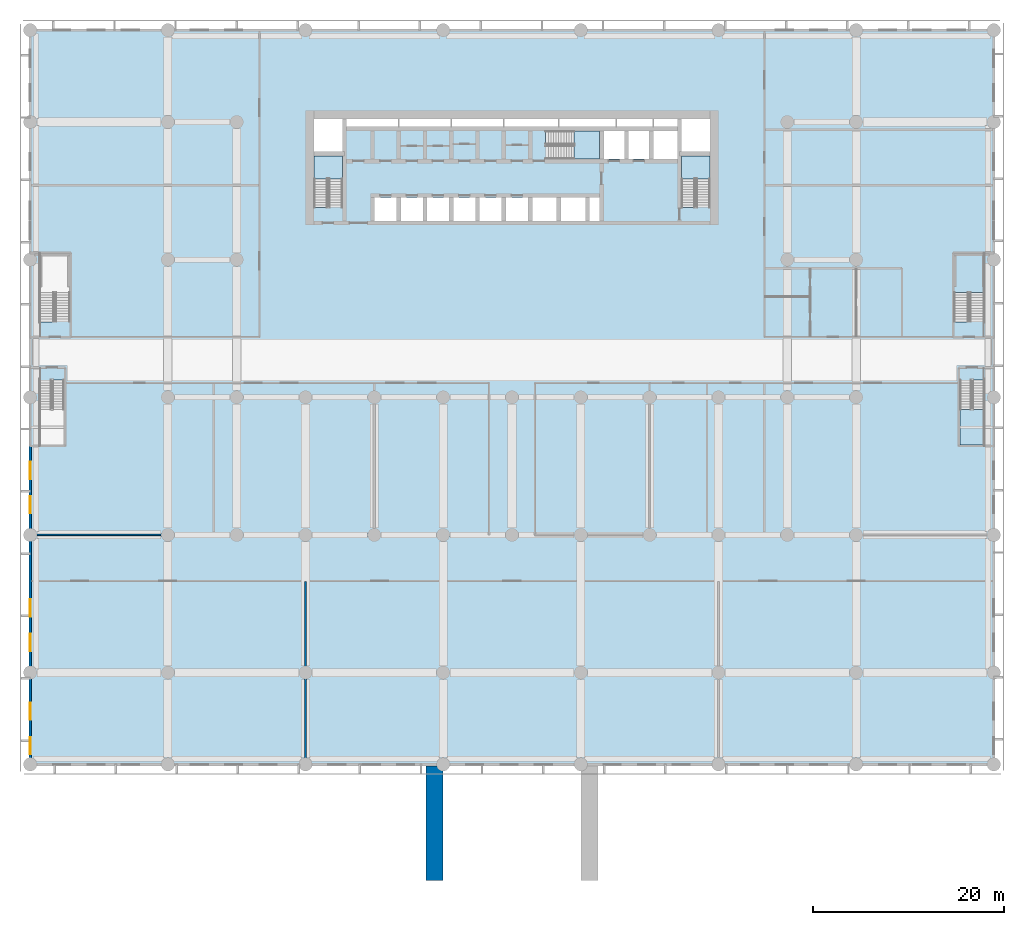
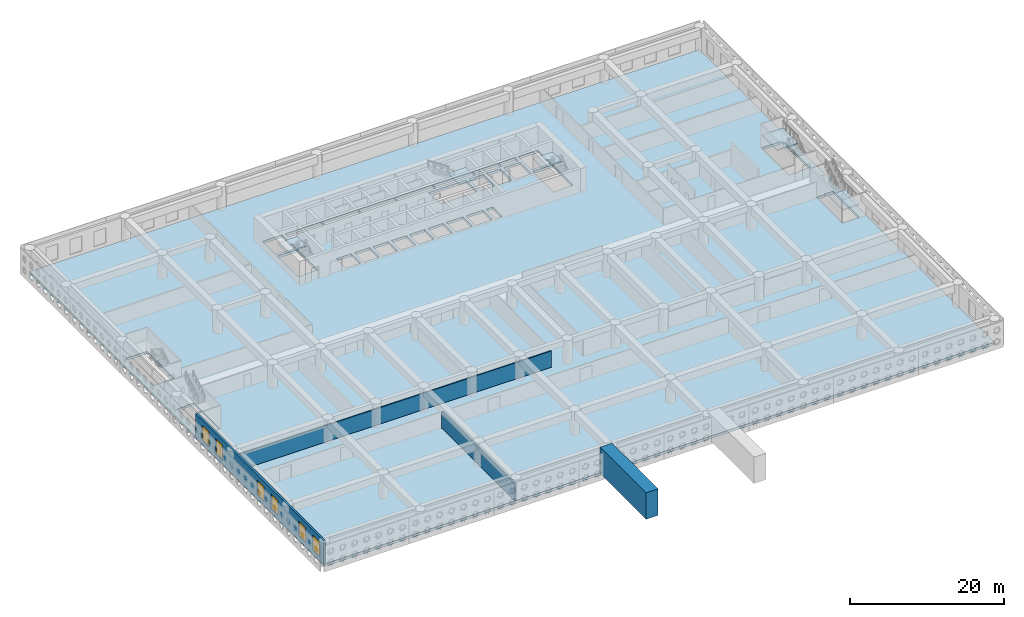
# One storey, part 2 of 23: 6 slabs, 6 windows, 4 walls, 6 openings, 5 elements without a shape of their own.
"""IFC4 building model written with IfcOpenShell, lengths in metres."""

from ifc_helpers import new_model, si_unit, direction, frame, frame_2d, origin, place, context, subcontext, project, spatial, polyline, rectangle, outline, extrude, material, layer, layer_set, type_object, element, fill, aggregate, save


model = new_model("IFC4")

# Units and contexts
model_context = context("Model", 3, precision=1e-05, world=origin(), true_north=direction((0.0, 1.0)))
body_context = subcontext(model_context, "Body", "Model", "MODEL_VIEW")
ifc_project = project(units=[si_unit("LENGTHUNIT", "METRE"), si_unit("AREAUNIT", "SQUARE_METRE"), si_unit("VOLUMEUNIT", "CUBIC_METRE"), si_unit("PLANEANGLEUNIT", "RADIAN"), si_unit("MASSUNIT", "GRAM", prefix="KILO")], contexts=[model_context])

# Site, building, storey
site_placement = place(None, origin())
site = spatial("IfcSite", under=ifc_project, at=site_placement, CompositionType="ELEMENT")
building_placement = place(site_placement, origin())
building = spatial("IfcBuilding", under=site, at=building_placement, Name="Saffron Iwan Residences", CompositionType="ELEMENT")
storey_placement = place(building_placement, frame((0.0, 0.0, 17.39990234375)))
storey = spatial("IfcBuildingStorey", under=building, at=storey_placement, Name="L03", CompositionType="ELEMENT", Elevation=17.39990234375)

# Slab
ifc_material_1 = material(Name="Concrete C40/50", Category="concrete")
ifc_layer_1 = layer(ifc_material_1, 0.39990234375)
ifc_layer_set_1 = layer_set([ifc_layer_1], Name="Concrete C40/50")
slab_type_1 = type_object("IfcSlabType", Name="PT PLATE 400 C40/50", PredefinedType="FLOOR", material=ifc_layer_set_1)
slab_1_placement = place(storey_placement, frame((0.0, 0.0, -0.39990234375)))
element("IfcSlab", 1, at=slab_1_placement, inside=storey, type_object=slab_type_1, Name="Floor slab L03", PredefinedType="FLOOR", context=body_context, shape_type="SweptSolid", body=[
    extrude(outline(polyline([(0.0, 9.60009765625), (0.0, 86.39990234375), (100.800048828125, 86.39990234375), (100.800048828125, 9.60009765625), (0.0, 9.60009765625)]), holes=[polyline([(2.199951171875, 49.699951171875), (1.0, 49.699951171875), (1.0, 43.0), (3.550048828125, 43.0), (3.550048828125, 49.799560546875), (2.199951171875, 49.799560546875), (2.199951171875, 49.699951171875)]), polyline([(2.64990234375, 55.900390625), (2.64990234375, 56.0), (4.14990234375, 56.0), (4.14990234375, 63.0), (1.0, 63.0), (1.0, 55.900390625), (2.64990234375, 55.900390625)]), polyline([(38.324951171875, 66.449951171875), (38.324951171875, 68.875), (36.02490234375, 68.875), (36.02490234375, 66.449951171875), (38.324951171875, 66.449951171875)]), polyline([(41.074951171875, 66.449951171875), (41.074951171875, 68.875), (38.77490234375, 68.875), (38.77490234375, 66.449951171875), (41.074951171875, 66.449951171875)]), polyline([(43.824951171875, 66.449951171875), (43.824951171875, 68.875), (41.52490234375, 68.875), (41.52490234375, 66.449951171875), (43.824951171875, 66.449951171875)]), polyline([(46.574951171875, 66.449951171875), (46.574951171875, 68.875), (44.27490234375, 68.875), (44.27490234375, 66.449951171875), (46.574951171875, 66.449951171875)]), polyline([(49.324951171875, 66.449951171875), (49.324951171875, 68.875), (47.02490234375, 68.875), (47.02490234375, 66.449951171875), (49.324951171875, 66.449951171875)]), polyline([(52.074951171875, 68.875), (49.77490234375, 68.875), (49.77490234375, 66.449951171875), (52.074951171875, 66.449951171875), (52.074951171875, 68.875)]), polyline([(32.64990234375, 73.25), (29.699951171875, 73.25), (29.699951171875, 67.949951171875), (29.699951171875, 67.8505859375), (31.10009765625, 67.8505859375), (31.10009765625, 67.949951171875), (32.64990234375, 67.949951171875), (32.64990234375, 73.25)]), polyline([(32.64990234375, 73.699951171875), (32.64990234375, 77.10009765625), (29.699951171875, 77.10009765625), (29.699951171875, 73.699951171875), (32.64990234375, 73.699951171875)]), polyline([(38.5, 76.324951171875), (38.5, 77.10009765625), (33.10009765625, 77.10009765625), (33.10009765625, 76.324951171875), (38.5, 76.324951171875)]), polyline([(44.0, 76.324951171875), (44.0, 77.10009765625), (38.60009765625, 77.10009765625), (38.60009765625, 76.324951171875), (44.0, 76.324951171875)]), polyline([(49.5, 76.324951171875), (49.5, 77.10009765625), (44.10009765625, 77.10009765625), (44.10009765625, 76.324951171875), (49.5, 76.324951171875)]), polyline([(55.25, 76.324951171875), (55.25, 77.10009765625), (49.60009765625, 77.10009765625), (49.60009765625, 76.324951171875), (55.25, 76.324951171875)]), polyline([(98.449951171875, 49.699951171875), (97.25, 49.699951171875), (97.25, 43.0), (99.800048828125, 43.0), (99.800048828125, 49.799560546875), (98.449951171875, 49.799560546875), (98.449951171875, 49.699951171875)]), polyline([(98.300048828125, 55.900390625), (98.300048828125, 56.0), (99.800048828125, 56.0), (99.800048828125, 63.0), (96.64990234375, 63.0), (96.64990234375, 55.900390625), (98.300048828125, 55.900390625)]), polyline([(55.074951171875, 66.449951171875), (55.074951171875, 68.875), (52.52490234375, 68.875), (52.52490234375, 66.449951171875), (55.074951171875, 66.449951171875)]), polyline([(58.074951171875, 66.449951171875), (58.074951171875, 68.875), (55.52490234375, 68.875), (55.52490234375, 66.449951171875), (58.074951171875, 66.449951171875)]), polyline([(59.550048828125, 66.449951171875), (59.550048828125, 68.875), (58.52490234375, 68.875), (58.52490234375, 66.449951171875), (59.550048828125, 66.449951171875)]), polyline([(71.10009765625, 73.25), (68.14990234375, 73.25), (68.14990234375, 67.949951171875), (68.14990234375, 67.8505859375), (69.550048828125, 67.8505859375), (69.550048828125, 67.949951171875), (71.10009765625, 67.949951171875), (71.10009765625, 73.25)]), polyline([(53.925537109375, 74.47509765625), (54.02490234375, 74.47509765625), (54.02490234375, 72.925048828125), (59.550048828125, 72.925048828125), (59.550048828125, 75.875), (54.02490234375, 75.875), (53.925537109375, 75.875), (53.925537109375, 74.47509765625)]), polyline([(62.14990234375, 75.875), (60.0, 75.875), (60.0, 72.925048828125), (62.14990234375, 72.925048828125), (62.14990234375, 75.875)]), polyline([(64.75, 72.925048828125), (64.75, 75.875), (62.60009765625, 75.875), (62.60009765625, 72.925048828125), (64.75, 72.925048828125)]), polyline([(67.699951171875, 72.925048828125), (67.699951171875, 75.875), (65.199951171875, 75.875), (65.199951171875, 72.925048828125), (67.699951171875, 72.925048828125)]), polyline([(71.10009765625, 73.699951171875), (71.10009765625, 77.10009765625), (68.14990234375, 77.10009765625), (68.14990234375, 73.699951171875), (71.10009765625, 73.699951171875)]), polyline([(61.25, 76.324951171875), (61.25, 77.10009765625), (55.35009765625, 77.10009765625), (55.35009765625, 76.324951171875), (61.25, 76.324951171875)]), polyline([(65.14990234375, 76.324951171875), (65.14990234375, 77.10009765625), (61.35009765625, 77.10009765625), (61.35009765625, 76.324951171875), (65.14990234375, 76.324951171875)]), polyline([(67.699951171875, 76.324951171875), (67.699951171875, 77.10009765625), (65.25, 77.10009765625), (65.25, 76.324951171875), (67.699951171875, 76.324951171875)])]), origin(), (0.0, 0.0, 1.0), 0.39990234375),
])

# Stair, slab
stair_type_1 = type_object("IfcStairType", Name="Podium stair, reinforced concrete", PredefinedType="HALF_TURN_STAIR", material=ifc_material_1)
stair_1_placement = place(storey_placement, origin())
stair_1 = element("IfcStair", 2, at=stair_1_placement, inside=storey, type_object=stair_type_1, Name="L03 Podium Stair 2", PredefinedType="HALF_TURN_STAIR")
ifc_layer_2 = layer(ifc_material_1, 0.199951171875)
ifc_layer_set_2 = layer_set([ifc_layer_2], Name="Concrete C40/50")
slab_type_2 = type_object("IfcSlabType", Name="Podium stair landing, reinforced concrete", PredefinedType="LANDING", material=ifc_layer_set_2)
slab_2_placement = place(storey_placement, frame((0.0, 0.0, 1.89990234375)))
slab_2 = element("IfcSlab", 3, at=slab_2_placement, type_object=slab_type_2, Name="PS2 landing 1", PredefinedType="LANDING", context=body_context, shape_type="SweptSolid", body=[
    extrude(outline(polyline([(97.25, 46.719970703125), (97.25, 43.0), (99.800048828125, 43.0), (99.800048828125, 46.719970703125), (97.25, 46.719970703125)])), origin(), (0.0, 0.0, 1.0), 0.2001953125),
])
aggregate(stair_1, [slab_2])

stair_2_placement = place(storey_placement, origin())
stair_2 = element("IfcStair", 4, at=stair_2_placement, inside=storey, type_object=stair_type_1, Name="L03 Podium Stair 4", PredefinedType="HALF_TURN_STAIR")
slab_3_placement = place(storey_placement, frame((0.0, 0.0, 1.89990234375)))
slab_3 = element("IfcSlab", 5, at=slab_3_placement, type_object=slab_type_2, Name="PS4 landing 1", PredefinedType="LANDING", context=body_context, shape_type="SweptSolid", body=[
    extrude(outline(polyline([(99.800048828125, 58.97998046875), (99.800048828125, 63.0), (96.64990234375, 63.0), (96.64990234375, 58.97998046875), (99.800048828125, 58.97998046875)])), origin(), (0.0, 0.0, 1.0), 0.2001953125),
])
aggregate(stair_2, [slab_3])

ifc_material_2 = material(Name="Concrete C50/60", Category="concrete")
stair_type_2 = type_object("IfcStairType", Name="Stair ST-CORE", PredefinedType="HALF_TURN_STAIR", material=ifc_material_2)
stair_3_placement = place(storey_placement, origin())
stair_3 = element("IfcStair", 6, at=stair_3_placement, inside=storey, type_object=stair_type_2, Name="L03 Exit Stair ST-W", PredefinedType="HALF_TURN_STAIR")
ifc_layer_3 = layer(ifc_material_2, 0.199951171875)
ifc_layer_set_3 = layer_set([ifc_layer_3], Name="Concrete C50/60")
slab_type_3 = type_object("IfcSlabType", Name="Stair landing SL-RC", PredefinedType="LANDING", material=ifc_layer_set_3)
slab_4_placement = place(storey_placement, frame((0.0, 0.0, 1.89990234375)))
slab_4 = element("IfcSlab", 7, at=slab_4_placement, type_object=slab_type_3, Name="ST-W landing 1", PredefinedType="LANDING", context=body_context, shape_type="SweptSolid", body=[
    extrude(outline(polyline([(32.64990234375, 70.820068359375), (32.64990234375, 73.25), (29.699951171875, 73.25), (29.699951171875, 70.820068359375), (32.64990234375, 70.820068359375)])), origin(), (0.0, 0.0, 1.0), 0.2001953125),
])
aggregate(stair_3, [slab_4])

stair_4_placement = place(storey_placement, origin())
stair_4 = element("IfcStair", 8, at=stair_4_placement, inside=storey, type_object=stair_type_2, Name="L03 Exit Stair ST-C", PredefinedType="HALF_TURN_STAIR")
slab_5_placement = place(storey_placement, frame((0.0, 0.0, 1.89990234375)))
slab_5 = element("IfcSlab", 9, at=slab_5_placement, type_object=slab_type_3, Name="ST-C landing 1", PredefinedType="LANDING", context=body_context, shape_type="SweptSolid", body=[
    extrude(outline(polyline([(56.89501953125, 72.925048828125), (59.550048828125, 72.925048828125), (59.550048828125, 75.875), (56.89501953125, 75.875), (56.89501953125, 72.925048828125)])), origin(), (0.0, 0.0, 1.0), 0.2001953125),
])
aggregate(stair_4, [slab_5])

stair_5_placement = place(storey_placement, origin())
stair_5 = element("IfcStair", 10, at=stair_5_placement, inside=storey, type_object=stair_type_2, Name="L03 Exit Stair ST-E", PredefinedType="HALF_TURN_STAIR")
slab_6_placement = place(storey_placement, frame((0.0, 0.0, 1.89990234375)))
slab_6 = element("IfcSlab", 11, at=slab_6_placement, type_object=slab_type_3, Name="ST-E landing 1", PredefinedType="LANDING", context=body_context, shape_type="SweptSolid", body=[
    extrude(outline(polyline([(71.10009765625, 70.820068359375), (71.10009765625, 73.25), (68.14990234375, 73.25), (68.14990234375, 70.820068359375), (71.10009765625, 70.820068359375)])), origin(), (0.0, 0.0, 1.0), 0.2001953125),
])
aggregate(stair_5, [slab_6])

# Walls
ifc_material_3 = material(Name="Concrete blockwork", Category="masonry")
ifc_layer_4 = layer(ifc_material_3, 0.14990234375)
ifc_layer_set_4 = layer_set([ifc_layer_4], Name="Concrete blockwork")
wall_type_1 = type_object("IfcWallType", Name="Blockwork partition 150", PredefinedType="PARTITIONING", material=ifc_layer_set_4)
wall_1_placement = place(storey_placement, frame((0.14990234375, 33.60009765625, 0.0), z_axis=(0.0, 0.0, 1.0), x_axis=(1.0, 0.0, 0.0)))
element("IfcWall", 12, at=wall_1_placement, inside=storey, type_object=wall_type_1, Name="W-L03-003", PredefinedType="PARTITIONING", context=body_context, shape_type="SweptSolid", body=[
    extrude(rectangle(XDim=47.85009765625, YDim=0.14990234375, at=frame_2d((23.925048828125, 0.0))), origin(), (0.0, 0.0, 1.0), 2.60009765625),
])
ifc_layer_5 = layer(ifc_material_1, 0.25)
ifc_layer_set_5 = layer_set([ifc_layer_5], Name="Concrete C40/50")
wall_type_2 = type_object("IfcWallType", Name="Fire compartment wall 250", PredefinedType="SOLIDWALL", material=ifc_layer_set_5)
wall_2_placement = place(storey_placement, frame((28.800048828125, 9.75, 0.0), z_axis=(0.0, 0.0, 1.0), x_axis=(0.0, 1.0, 0.0)))
element("IfcWall", 13, at=wall_2_placement, inside=storey, type_object=wall_type_2, Name="W-L03-034", PredefinedType="SOLIDWALL", context=body_context, shape_type="SweptSolid", body=[
    extrude(rectangle(XDim=18.97509765625, YDim=0.25, at=frame_2d((9.487548828125, 0.0))), origin(), (0.0, 0.0, 1.0), 2.60009765625),
])

# Wall, openings, windows
ifc_material_4 = material(Name="Precast concrete C40/50", Category="concrete")
ifc_layer_6 = layer(ifc_material_4, 0.300048828125)
ifc_layer_set_6 = layer_set([ifc_layer_6], Name="Precast concrete C40/50")
wall_type_3 = type_object("IfcWallType", Name="Podium external wall 300", PredefinedType="SOLIDWALL", material=ifc_layer_set_6)
wall_3_placement = place(storey_placement, frame((0.0, 9.60009765625, 0.0), z_axis=(0.0, 0.0, 1.0), x_axis=(0.0, 1.0, 0.0)))
wall_3 = element("IfcWall", 14, at=wall_3_placement, inside=storey, type_object=wall_type_3, Name="W-L03-025", PredefinedType="SOLIDWALL", context=body_context, shape_type="SweptSolid", body=[
    extrude(rectangle(XDim=33.2998046875, YDim=0.300048828125, at=frame_2d((16.64990234375, 0.0))), origin(), (0.0, 0.0, 1.0), 3.800048828125),
])
opening_1_placement = place(wall_3_placement, frame((1.050048828125, 0.0, 0.60009765625)))
opening_1 = element("IfcOpeningElement", 15, at=opening_1_placement, cuts=wall_3, Name="Opening W7", PredefinedType="OPENING", context=body_context, shape_type="SweptSolid", body=[
    extrude(rectangle(XDim=1.800048828125, YDim=2.39990234375, at=frame_2d((0.89990234375, 1.199951171875))), frame((0.0, 0.16015625, 0.0), z_axis=(0.0, -1.0, 0.0), x_axis=(1.0, 0.0, 0.0)), (0.0, 0.0, 1.0), 0.320068359375),
])
opening_2_placement = place(wall_3_placement, frame((4.64990234375, 0.0, 0.60009765625)))
opening_2 = element("IfcOpeningElement", 16, at=opening_2_placement, cuts=wall_3, Name="Opening W7", PredefinedType="OPENING", context=body_context, shape_type="SweptSolid", body=[
    extrude(rectangle(XDim=1.800048828125, YDim=2.39990234375, at=frame_2d((0.89990234375, 1.199951171875))), frame((0.0, 0.16015625, 0.0), z_axis=(0.0, -1.0, 0.0), x_axis=(1.0, 0.0, 0.0)), (0.0, 0.0, 1.0), 0.320068359375),
])
opening_3_placement = place(wall_3_placement, frame((11.85009765625, 0.0, 0.60009765625)))
opening_3 = element("IfcOpeningElement", 17, at=opening_3_placement, cuts=wall_3, Name="Opening W7", PredefinedType="OPENING", context=body_context, shape_type="SweptSolid", body=[
    extrude(rectangle(XDim=1.800048828125, YDim=2.39990234375, at=frame_2d((0.89990234375, 1.199951171875))), frame((0.0, 0.16015625, 0.0), z_axis=(0.0, -1.0, 0.0), x_axis=(1.0, 0.0, 0.0)), (0.0, 0.0, 1.0), 0.320068359375),
])
opening_4_placement = place(wall_3_placement, frame((15.449951171875, 0.0, 0.60009765625)))
opening_4 = element("IfcOpeningElement", 18, at=opening_4_placement, cuts=wall_3, Name="Opening W7", PredefinedType="OPENING", context=body_context, shape_type="SweptSolid", body=[
    extrude(rectangle(XDim=1.800048828125, YDim=2.39990234375, at=frame_2d((0.89990234375, 1.199951171875))), frame((0.0, 0.16015625, 0.0), z_axis=(0.0, -1.0, 0.0), x_axis=(1.0, 0.0, 0.0)), (0.0, 0.0, 1.0), 0.320068359375),
])
opening_5_placement = place(wall_3_placement, frame((26.25, 0.0, 0.60009765625)))
opening_5 = element("IfcOpeningElement", 19, at=opening_5_placement, cuts=wall_3, Name="Opening W7", PredefinedType="OPENING", context=body_context, shape_type="SweptSolid", body=[
    extrude(rectangle(XDim=1.800048828125, YDim=2.39990234375, at=frame_2d((0.89990234375, 1.199951171875))), frame((0.0, 0.16015625, 0.0), z_axis=(0.0, -1.0, 0.0), x_axis=(1.0, 0.0, 0.0)), (0.0, 0.0, 1.0), 0.320068359375),
])
opening_6_placement = place(wall_3_placement, frame((29.85009765625, 0.0, 0.60009765625)))
opening_6 = element("IfcOpeningElement", 20, at=opening_6_placement, cuts=wall_3, Name="Opening W7", PredefinedType="OPENING", context=body_context, shape_type="SweptSolid", body=[
    extrude(rectangle(XDim=1.800048828125, YDim=2.39990234375, at=frame_2d((0.89990234375, 1.199951171875))), frame((0.0, 0.16015625, 0.0), z_axis=(0.0, -1.0, 0.0), x_axis=(1.0, 0.0, 0.0)), (0.0, 0.0, 1.0), 0.320068359375),
])
ifc_material_5 = material(Name="Clear glass, laminated double glazed", Category="glass")
window_type = type_object("IfcWindowType", Name="WINDOW 1800 x 2400 PODIUM", PartitioningType="DOUBLE_PANEL_VERTICAL", PredefinedType="WINDOW", material=ifc_material_5)
window_1_placement = place(opening_1_placement, origin())
window_1 = element("IfcWindow", 21, at=window_1_placement, inside=storey, type_object=window_type, Name="Window L03 W-L03-025.0", OverallHeight=2.39990234375, OverallWidth=1.800048828125, PartitioningType="DOUBLE_PANEL_VERTICAL", PredefinedType="WINDOW", context=body_context, shape_type="SweptSolid", body=[
    extrude(rectangle(XDim=1.800048828125, YDim=2.39990234375, at=frame_2d((0.89990234375, 1.199951171875))), frame((0.0, 0.030029296875, 0.0), z_axis=(0.0, -1.0, 0.0), x_axis=(1.0, 0.0, 0.0)), (0.0, 0.0, 1.0), 0.06005859375),
])
fill(opening_1, window_1)
window_2_placement = place(opening_2_placement, origin())
window_2 = element("IfcWindow", 22, at=window_2_placement, inside=storey, type_object=window_type, Name="Window L03 W-L03-025.1", OverallHeight=2.39990234375, OverallWidth=1.800048828125, PartitioningType="DOUBLE_PANEL_VERTICAL", PredefinedType="WINDOW", context=body_context, shape_type="SweptSolid", body=[
    extrude(rectangle(XDim=1.800048828125, YDim=2.39990234375, at=frame_2d((0.89990234375, 1.199951171875))), frame((0.0, 0.030029296875, 0.0), z_axis=(0.0, -1.0, 0.0), x_axis=(1.0, 0.0, 0.0)), (0.0, 0.0, 1.0), 0.06005859375),
])
fill(opening_2, window_2)
window_3_placement = place(opening_3_placement, origin())
window_3 = element("IfcWindow", 23, at=window_3_placement, inside=storey, type_object=window_type, Name="Window L03 W-L03-025.2", OverallHeight=2.39990234375, OverallWidth=1.800048828125, PartitioningType="DOUBLE_PANEL_VERTICAL", PredefinedType="WINDOW", context=body_context, shape_type="SweptSolid", body=[
    extrude(rectangle(XDim=1.800048828125, YDim=2.39990234375, at=frame_2d((0.89990234375, 1.199951171875))), frame((0.0, 0.030029296875, 0.0), z_axis=(0.0, -1.0, 0.0), x_axis=(1.0, 0.0, 0.0)), (0.0, 0.0, 1.0), 0.06005859375),
])
fill(opening_3, window_3)
window_4_placement = place(opening_4_placement, origin())
window_4 = element("IfcWindow", 24, at=window_4_placement, inside=storey, type_object=window_type, Name="Window L03 W-L03-025.3", OverallHeight=2.39990234375, OverallWidth=1.800048828125, PartitioningType="DOUBLE_PANEL_VERTICAL", PredefinedType="WINDOW", context=body_context, shape_type="SweptSolid", body=[
    extrude(rectangle(XDim=1.800048828125, YDim=2.39990234375, at=frame_2d((0.89990234375, 1.199951171875))), frame((0.0, 0.030029296875, 0.0), z_axis=(0.0, -1.0, 0.0), x_axis=(1.0, 0.0, 0.0)), (0.0, 0.0, 1.0), 0.06005859375),
])
fill(opening_4, window_4)
window_5_placement = place(opening_5_placement, origin())
window_5 = element("IfcWindow", 25, at=window_5_placement, inside=storey, type_object=window_type, Name="Window L03 W-L03-025.4", OverallHeight=2.39990234375, OverallWidth=1.800048828125, PartitioningType="DOUBLE_PANEL_VERTICAL", PredefinedType="WINDOW", context=body_context, shape_type="SweptSolid", body=[
    extrude(rectangle(XDim=1.800048828125, YDim=2.39990234375, at=frame_2d((0.89990234375, 1.199951171875))), frame((0.0, 0.030029296875, 0.0), z_axis=(0.0, -1.0, 0.0), x_axis=(1.0, 0.0, 0.0)), (0.0, 0.0, 1.0), 0.06005859375),
])
fill(opening_5, window_5)
window_6_placement = place(opening_6_placement, origin())
window_6 = element("IfcWindow", 26, at=window_6_placement, inside=storey, type_object=window_type, Name="Window L03 W-L03-025.5", OverallHeight=2.39990234375, OverallWidth=1.800048828125, PartitioningType="DOUBLE_PANEL_VERTICAL", PredefinedType="WINDOW", context=body_context, shape_type="SweptSolid", body=[
    extrude(rectangle(XDim=1.800048828125, YDim=2.39990234375, at=frame_2d((0.89990234375, 1.199951171875))), frame((0.0, 0.030029296875, 0.0), z_axis=(0.0, -1.0, 0.0), x_axis=(1.0, 0.0, 0.0)), (0.0, 0.0, 1.0), 0.06005859375),
])
fill(opening_6, window_6)

# Wall
ifc_material_6 = material(Name="Terracotta coloured precast concrete C40/50", Category="masonry")
ifc_layer_7 = layer(ifc_material_6, 1.800048828125)
ifc_layer_set_7 = layer_set([ifc_layer_7], Name="Terracotta coloured precast concrete C40/50")
wall_type_4 = type_object("IfcWallType", Name="Portal pier, precast concrete 1800", PredefinedType="SOLIDWALL", material=ifc_layer_set_7)
wall_4_placement = place(storey_placement, frame((42.300048828125, -2.550048828125, 0.0), z_axis=(0.0, 0.0, 1.0), x_axis=(0.0, 1.0, 0.0)))
element("IfcWall", 27, at=wall_4_placement, inside=storey, type_object=wall_type_4, Name="Portal pier W L03", PredefinedType="SOLIDWALL", context=body_context, shape_type="SweptSolid", body=[
    extrude(rectangle(XDim=12.0, YDim=1.800048828125, at=frame_2d((6.0, 0.0))), origin(), (0.0, 0.0, 1.0), 4.2001953125),
])

save(model, "model.ifc")
